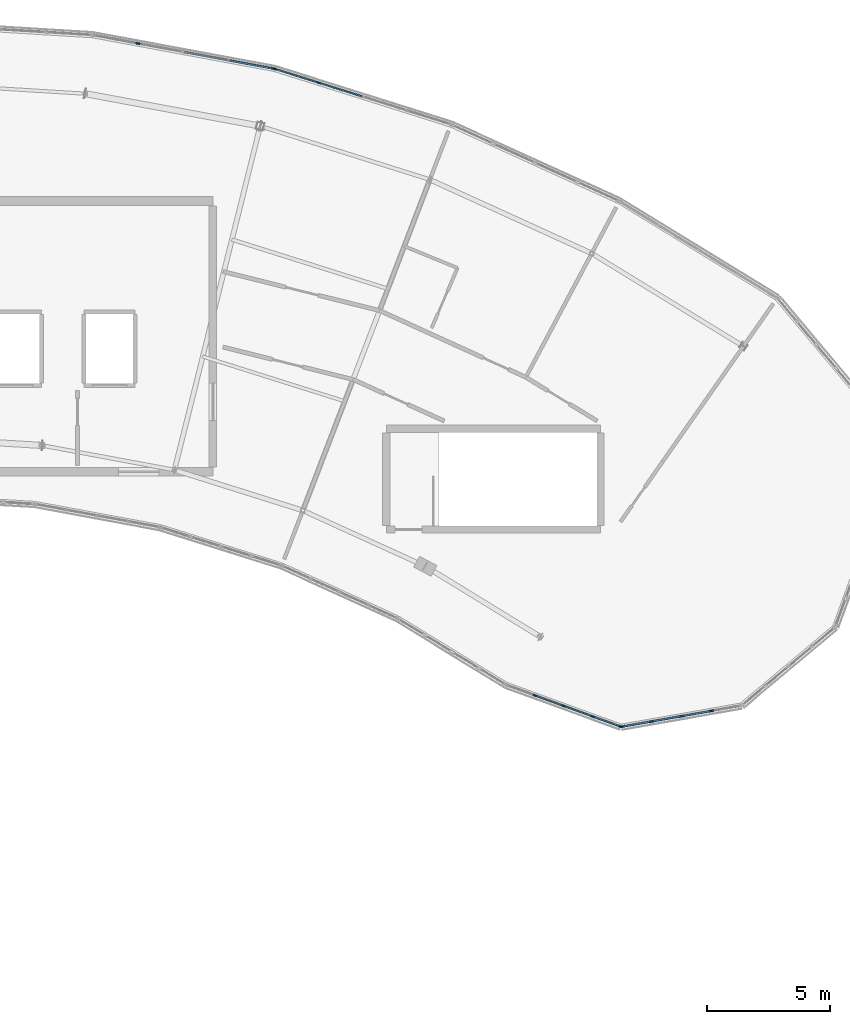
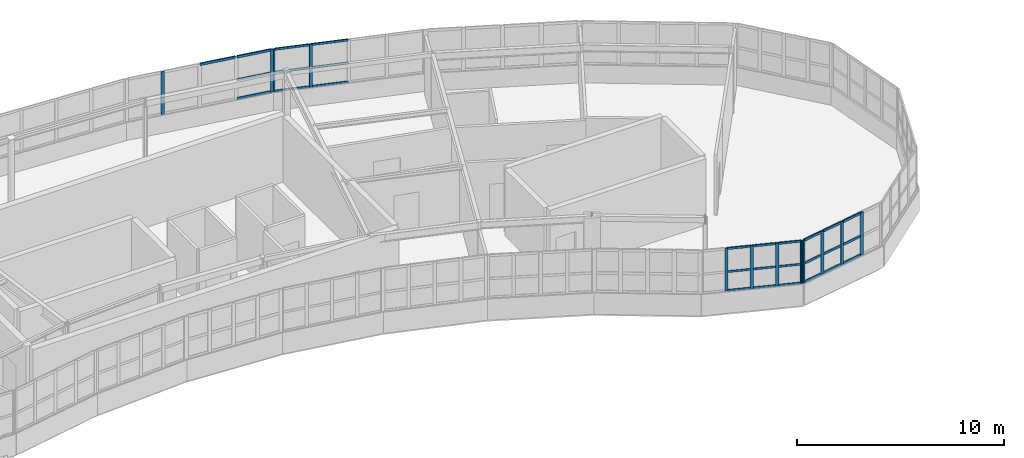
# One storey, part 12 of 26: 40 members, 4 elements without a shape of their own.
"""IFC4 building model written with IfcOpenShell, lengths in metres."""

from ifc_helpers import new_model, si_unit, direction, frame, origin, origin_2d, place, context, subcontext, project, spatial, rectangle, extrude, material, layer, layer_set, material_profile, profile_set, type_object, element, aggregate, save


model = new_model("IFC4")

# Units and contexts
model_context = context("Model", 3, precision=1e-05, world=origin(), true_north=direction((0.0, 1.0)))
body_context = subcontext(model_context, "Body", "Model", "MODEL_VIEW")
ifc_project = project(units=[si_unit("LENGTHUNIT", "METRE"), si_unit("AREAUNIT", "SQUARE_METRE"), si_unit("VOLUMEUNIT", "CUBIC_METRE"), si_unit("PLANEANGLEUNIT", "RADIAN"), si_unit("MASSUNIT", "GRAM", prefix="KILO")], contexts=[model_context])

# Site, building, storey
site_placement = place(None, origin())
site = spatial("IfcSite", under=ifc_project, at=site_placement, CompositionType="ELEMENT")
building_placement = place(site_placement, origin())
building = spatial("IfcBuilding", under=site, at=building_placement, Name="Tarnwether General Hospital", CompositionType="ELEMENT")
storey_placement = place(building_placement, frame((0.0, 0.0, 30.0)))
storey = spatial("IfcBuildingStorey", under=building, at=storey_placement, Name="L07", CompositionType="ELEMENT", Elevation=30.0)

# Curtain wall, members
ifc_material_1 = material(Name="Anodised aluminium", Category="aluminium")
ifc_layer_1 = layer(ifc_material_1, 0.159912109375)
ifc_layer_set_1 = layer_set([ifc_layer_1], Name="Anodised aluminium")
curtain_wall_type_1 = type_object("IfcCurtainWallType", Name="CW-03", PredefinedType="NOTDEFINED", material=ifc_layer_set_1)
curtain_wall_1_placement = place(storey_placement, origin())
curtain_wall_1 = element("IfcCurtainWall", 1, at=curtain_wall_1_placement, inside=storey, type_object=curtain_wall_type_1, Name="Curtain Wall CWG-L07-1210_960-0140", PredefinedType="NOTDEFINED")
ifc_material_2 = material(Name="Anodised aluminium", Category="aluminium")
ifc_material_profile_1 = material_profile(ifc_material_2, rectangle(XDim=0.06005859375, YDim=0.159912109375, at=origin_2d()), Name="ALU-MUL-60x160")
ifc_profile_set_1 = profile_set([ifc_material_profile_1], Name="Anodised aluminium")
member_type_1 = type_object("IfcMemberType", Name="CW-ML1", PredefinedType="MULLION", material=ifc_profile_set_1)
member_1_placement = place(storey_placement, frame((120.960693359375, 96.042236328125, 1.050048828125), z_axis=(0.0, 0.0, 1.0), x_axis=(-0.342130850834, -0.939652319163, 0.0)))
member_1 = element("IfcMember", 2, at=member_1_placement, type_object=member_type_1, Name="CW-03 mullion 1", PredefinedType="MULLION", context=body_context, shape_type="SweptSolid", body=[
    extrude(rectangle(XDim=0.06005859375, YDim=0.159912109375, at=origin_2d()), origin(), (0.0, 0.0, 1.0), 2.52001953125),
])
member_2_placement = place(storey_placement, frame((119.82177734375, 96.45703125, 1.050048828125), z_axis=(0.0, 0.0, 1.0), x_axis=(-0.342130850834, -0.939652319163, 0.0)))
member_2 = element("IfcMember", 3, at=member_2_placement, type_object=member_type_1, Name="CW-03 mullion 2", PredefinedType="MULLION", context=body_context, shape_type="SweptSolid", body=[
    extrude(rectangle(XDim=0.06005859375, YDim=0.159912109375, at=origin_2d()), origin(), (0.0, 0.0, 1.0), 2.52001953125),
])
member_3_placement = place(storey_placement, frame((118.654541015625, 96.882080078125, 1.050048828125), z_axis=(0.0, 0.0, 1.0), x_axis=(-0.342130850834, -0.939652319163, 0.0)))
member_3 = element("IfcMember", 4, at=member_3_placement, type_object=member_type_1, Name="CW-03 mullion 3", PredefinedType="MULLION", context=body_context, shape_type="SweptSolid", body=[
    extrude(rectangle(XDim=0.06005859375, YDim=0.159912109375, at=origin_2d()), origin(), (0.0, 0.0, 1.0), 2.52001953125),
])
member_4_placement = place(storey_placement, frame((117.4873046875, 97.306884765625, 1.050048828125), z_axis=(0.0, 0.0, 1.0), x_axis=(-0.342130850834, -0.939652319163, 0.0)))
member_4 = element("IfcMember", 5, at=member_4_placement, type_object=member_type_1, Name="CW-03 mullion 4", PredefinedType="MULLION", context=body_context, shape_type="SweptSolid", body=[
    extrude(rectangle(XDim=0.06005859375, YDim=0.159912109375, at=origin_2d()), origin(), (0.0, 0.0, 1.0), 2.52001953125),
])

ifc_material_3 = material(Name="Anodised aluminium", Category="aluminium")
ifc_layer_2 = layer(ifc_material_3, 0.179931640625)
ifc_layer_set_2 = layer_set([ifc_layer_2], Name="Anodised aluminium")
curtain_wall_type_2 = type_object("IfcCurtainWallType", Name="CW-07", PredefinedType="NOTDEFINED", material=ifc_layer_set_2)
curtain_wall_2_placement = place(storey_placement, origin())
curtain_wall_2 = element("IfcCurtainWall", 6, at=curtain_wall_2_placement, inside=storey, type_object=curtain_wall_type_2, Name="Curtain Wall CWG-L07-1069_1228-0148", PredefinedType="NOTDEFINED")
member_5_placement = place(storey_placement, frame((106.9306640625, 122.760986328125, 1.050048828125), z_axis=(0.0, 0.0, 1.0), x_axis=(0.300628613299, 0.953741284032, 0.0)))
member_5 = element("IfcMember", 7, at=member_5_placement, type_object=member_type_1, Name="CW-07 mullion 1", PredefinedType="MULLION", context=body_context, shape_type="SweptSolid", body=[
    extrude(rectangle(XDim=0.06005859375, YDim=0.159912109375, at=origin_2d()), origin(), (0.0, 0.0, 1.0), 2.52001953125),
])
member_6_placement = place(storey_placement, frame((108.6953125, 122.204833984375, 1.050048828125), z_axis=(0.0, 0.0, 1.0), x_axis=(0.300628613299, 0.953741284032, 0.0)))
member_6 = element("IfcMember", 8, at=member_6_placement, type_object=member_type_1, Name="CW-07 mullion 2", PredefinedType="MULLION", context=body_context, shape_type="SweptSolid", body=[
    extrude(rectangle(XDim=0.06005859375, YDim=0.159912109375, at=origin_2d()), origin(), (0.0, 0.0, 1.0), 2.52001953125),
])

curtain_wall_3_placement = place(storey_placement, origin())
curtain_wall_3 = element("IfcCurtainWall", 9, at=curtain_wall_3_placement, inside=storey, type_object=curtain_wall_type_1, Name="Curtain Wall CWG-L07-1259_969-0141", PredefinedType="NOTDEFINED")
ifc_material_4 = material(Name="Anodised aluminium", Category="aluminium")
ifc_material_profile_2 = material_profile(ifc_material_4, rectangle(XDim=0.070068359375, YDim=0.179931640625, at=origin_2d()), Name="ALU-MUL-70x180")
ifc_profile_set_2 = profile_set([ifc_material_profile_2], Name="Anodised aluminium")
member_type_2 = type_object("IfcMemberType", Name="CW-ML2", PredefinedType="MULLION", material=ifc_profile_set_2)
member_7_placement = place(storey_placement, frame((124.659423828125, 96.67919921875, 1.050048828125), z_axis=(0.0, 0.0, 1.0), x_axis=(0.173659059054, -0.984805834268, 0.0)))
member_7 = element("IfcMember", 10, at=member_7_placement, type_object=member_type_2, Name="CW-03 mullion 2", PredefinedType="MULLION", context=body_context, shape_type="SweptSolid", body=[
    extrude(rectangle(XDim=0.070068359375, YDim=0.179931640625, at=origin_2d()), origin(), (0.0, 0.0, 1.0), 2.52001953125),
])
member_8_placement = place(storey_placement, frame((123.43603515625, 96.46337890625, 1.050048828125), z_axis=(0.0, 0.0, 1.0), x_axis=(0.173659059054, -0.984805834268, 0.0)))
member_8 = element("IfcMember", 11, at=member_8_placement, type_object=member_type_2, Name="CW-03 mullion 3", PredefinedType="MULLION", context=body_context, shape_type="SweptSolid", body=[
    extrude(rectangle(XDim=0.070068359375, YDim=0.179931640625, at=origin_2d()), origin(), (0.0, 0.0, 1.0), 2.52001953125),
])
member_9_placement = place(storey_placement, frame((122.21240234375, 96.247802734375, 1.050048828125), z_axis=(0.0, 0.0, 1.0), x_axis=(0.173659059054, -0.984805834268, 0.0)))
member_9 = element("IfcMember", 12, at=member_9_placement, type_object=member_type_2, Name="CW-03 mullion 4", PredefinedType="MULLION", context=body_context, shape_type="SweptSolid", body=[
    extrude(rectangle(XDim=0.070068359375, YDim=0.179931640625, at=origin_2d()), origin(), (0.0, 0.0, 1.0), 2.52001953125),
])
member_10_placement = place(storey_placement, frame((121.0234375, 96.0380859375, 1.050048828125), z_axis=(0.0, 0.0, 1.0), x_axis=(0.173659059054, -0.984805834268, 0.0)))
member_10 = element("IfcMember", 13, at=member_10_placement, type_object=member_type_2, Name="CW-03 mullion 5", PredefinedType="MULLION", context=body_context, shape_type="SweptSolid", body=[
    extrude(rectangle(XDim=0.070068359375, YDim=0.179931640625, at=origin_2d()), origin(), (0.0, 0.0, 1.0), 2.52001953125),
])

curtain_wall_4_placement = place(storey_placement, origin())
curtain_wall_4 = element("IfcCurtainWall", 14, at=curtain_wall_4_placement, inside=storey, type_object=curtain_wall_type_2, Name="Curtain Wall CWG-L07-995_1241-0149", PredefinedType="NOTDEFINED")
member_11_placement = place(storey_placement, frame((101.355712890625, 123.79833984375, 1.050048828125), z_axis=(0.0, 0.0, 1.0), x_axis=(0.182289226614, 0.983244953132, 0.0)))
member_11 = element("IfcMember", 15, at=member_11_placement, type_object=member_type_2, Name="CW-07 mullion 2", PredefinedType="MULLION", context=body_context, shape_type="SweptSolid", body=[
    extrude(rectangle(XDim=0.070068359375, YDim=0.179931640625, at=origin_2d()), origin(), (0.0, 0.0, 1.0), 2.52001953125),
])
member_12_placement = place(storey_placement, frame((106.86767578125, 122.7763671875, 1.050048828125), z_axis=(0.0, 0.0, 1.0), x_axis=(0.182289226614, 0.983244953132, 0.0)))
member_12 = element("IfcMember", 16, at=member_12_placement, type_object=member_type_2, Name="CW-07 mullion 5", PredefinedType="MULLION", context=body_context, shape_type="SweptSolid", body=[
    extrude(rectangle(XDim=0.070068359375, YDim=0.179931640625, at=origin_2d()), origin(), (0.0, 0.0, 1.0), 2.52001953125),
])

# Member
ifc_material_5 = material(Name="Anodised aluminium", Category="aluminium")
ifc_material_profile_3 = material_profile(ifc_material_5, rectangle(XDim=0.06005859375, YDim=0.1201171875, at=origin_2d()), Name="ALU-TRN-60x120")
ifc_profile_set_3 = profile_set([ifc_material_profile_3], Name="Anodised aluminium")
member_type_3 = type_object("IfcMemberType", Name="CW-TR1", PredefinedType="USERDEFINED", material=ifc_profile_set_3)
member_13_placement = place(storey_placement, frame((120.9326171875, 96.052490234375, 1.080078125), z_axis=(-0.939638678412, 0.342168312432, 0.0), x_axis=(-0.342168312432, -0.939638678412, 0.0)))
member_13 = element("IfcMember", 17, at=member_13_placement, type_object=member_type_3, Name="CW-03 transom 1.1", ObjectType="TRANSOM", PredefinedType="USERDEFINED", context=body_context, shape_type="SweptSolid", body=[
    extrude(rectangle(XDim=0.06005859375, YDim=0.1201171875, at=origin_2d()), origin(), (0.0, 0.0, 1.0), 1.15234375),
])

member_14_placement = place(storey_placement, frame((120.9326171875, 96.052490234375, 2.18408203125), z_axis=(-0.939638678412, 0.342168312432, 0.0), x_axis=(-0.342168312432, -0.939638678412, 0.0)))
member_14 = element("IfcMember", 18, at=member_14_placement, type_object=member_type_3, Name="CW-03 transom 1.2", ObjectType="TRANSOM", PredefinedType="USERDEFINED", context=body_context, shape_type="SweptSolid", body=[
    extrude(rectangle(XDim=0.06005859375, YDim=0.1201171875, at=origin_2d()), origin(), (0.0, 0.0, 1.0), 1.15234375),
])

member_15_placement = place(storey_placement, frame((120.9326171875, 96.052490234375, 3.5400390625), z_axis=(-0.939638678412, 0.342168312432, 0.0), x_axis=(-0.342168312432, -0.939638678412, 0.0)))
member_15 = element("IfcMember", 19, at=member_15_placement, type_object=member_type_3, Name="CW-03 transom 1.3", ObjectType="TRANSOM", PredefinedType="USERDEFINED", context=body_context, shape_type="SweptSolid", body=[
    extrude(rectangle(XDim=0.06005859375, YDim=0.1201171875, at=origin_2d()), origin(), (0.0, 0.0, 1.0), 1.15234375),
])

member_16_placement = place(storey_placement, frame((119.79345703125, 96.46728515625, 1.080078125), z_axis=(-0.939630518913, 0.342190718646, 0.0), x_axis=(-0.342190718646, -0.939630518913, 0.0)))
member_16 = element("IfcMember", 20, at=member_16_placement, type_object=member_type_3, Name="CW-03 transom 2.1", ObjectType="TRANSOM", PredefinedType="USERDEFINED", context=body_context, shape_type="SweptSolid", body=[
    extrude(rectangle(XDim=0.06005859375, YDim=0.1201171875, at=origin_2d()), origin(), (0.0, 0.0, 1.0), 1.18212890625),
])

member_17_placement = place(storey_placement, frame((119.79345703125, 96.46728515625, 2.18408203125), z_axis=(-0.939630518913, 0.342190718646, 0.0), x_axis=(-0.342190718646, -0.939630518913, 0.0)))
member_17 = element("IfcMember", 21, at=member_17_placement, type_object=member_type_3, Name="CW-03 transom 2.2", ObjectType="TRANSOM", PredefinedType="USERDEFINED", context=body_context, shape_type="SweptSolid", body=[
    extrude(rectangle(XDim=0.06005859375, YDim=0.1201171875, at=origin_2d()), origin(), (0.0, 0.0, 1.0), 1.18212890625),
])

member_18_placement = place(storey_placement, frame((119.79345703125, 96.46728515625, 3.5400390625), z_axis=(-0.939630518913, 0.342190718646, 0.0), x_axis=(-0.342190718646, -0.939630518913, 0.0)))
member_18 = element("IfcMember", 22, at=member_18_placement, type_object=member_type_3, Name="CW-03 transom 2.3", ObjectType="TRANSOM", PredefinedType="USERDEFINED", context=body_context, shape_type="SweptSolid", body=[
    extrude(rectangle(XDim=0.06005859375, YDim=0.1201171875, at=origin_2d()), origin(), (0.0, 0.0, 1.0), 1.18212890625),
])

member_19_placement = place(storey_placement, frame((118.626220703125, 96.892333984375, 1.080078125), z_axis=(-0.939696906367, 0.342008368559, 0.0), x_axis=(-0.342008368559, -0.939696906367, 0.0)))
member_19 = element("IfcMember", 23, at=member_19_placement, type_object=member_type_3, Name="CW-03 transom 3.1", ObjectType="TRANSOM", PredefinedType="USERDEFINED", context=body_context, shape_type="SweptSolid", body=[
    extrude(rectangle(XDim=0.06005859375, YDim=0.1201171875, at=origin_2d()), origin(), (0.0, 0.0, 1.0), 1.18212890625),
])

member_20_placement = place(storey_placement, frame((118.626220703125, 96.892333984375, 2.18408203125), z_axis=(-0.939696906367, 0.342008368559, 0.0), x_axis=(-0.342008368559, -0.939696906367, 0.0)))
member_20 = element("IfcMember", 24, at=member_20_placement, type_object=member_type_3, Name="CW-03 transom 3.2", ObjectType="TRANSOM", PredefinedType="USERDEFINED", context=body_context, shape_type="SweptSolid", body=[
    extrude(rectangle(XDim=0.06005859375, YDim=0.1201171875, at=origin_2d()), origin(), (0.0, 0.0, 1.0), 1.18212890625),
])

member_21_placement = place(storey_placement, frame((118.626220703125, 96.892333984375, 3.5400390625), z_axis=(-0.939696906367, 0.342008368559, 0.0), x_axis=(-0.342008368559, -0.939696906367, 0.0)))
member_21 = element("IfcMember", 25, at=member_21_placement, type_object=member_type_3, Name="CW-03 transom 3.3", ObjectType="TRANSOM", PredefinedType="USERDEFINED", context=body_context, shape_type="SweptSolid", body=[
    extrude(rectangle(XDim=0.06005859375, YDim=0.1201171875, at=origin_2d()), origin(), (0.0, 0.0, 1.0), 1.18212890625),
])

aggregate(curtain_wall_1, [member_1, member_2, member_3, member_4, member_13, member_14, member_15, member_16, member_17, member_18, member_19, member_20, member_21])

member_22_placement = place(storey_placement, frame((106.959228515625, 122.751953125, 1.080078125), z_axis=(0.953763859338, -0.300556983983, 0.0), x_axis=(0.300556983983, 0.953763859338, 0.0)))
member_22 = element("IfcMember", 26, at=member_22_placement, type_object=member_type_3, Name="CW-07 transom 1.1", ObjectType="TRANSOM", PredefinedType="USERDEFINED", context=body_context, shape_type="SweptSolid", body=[
    extrude(rectangle(XDim=0.06005859375, YDim=0.1201171875, at=origin_2d()), origin(), (0.0, 0.0, 1.0), 1.790283203125),
])

member_23_placement = place(storey_placement, frame((106.959228515625, 122.751953125, 2.18408203125), z_axis=(0.953763859338, -0.300556983983, 0.0), x_axis=(0.300556983983, 0.953763859338, 0.0)))
member_23 = element("IfcMember", 27, at=member_23_placement, type_object=member_type_3, Name="CW-07 transom 1.2", ObjectType="TRANSOM", PredefinedType="USERDEFINED", context=body_context, shape_type="SweptSolid", body=[
    extrude(rectangle(XDim=0.06005859375, YDim=0.1201171875, at=origin_2d()), origin(), (0.0, 0.0, 1.0), 1.790283203125),
])

member_24_placement = place(storey_placement, frame((106.959228515625, 122.751953125, 3.5400390625), z_axis=(0.953763859338, -0.300556983983, 0.0), x_axis=(0.300556983983, 0.953763859338, 0.0)))
member_24 = element("IfcMember", 28, at=member_24_placement, type_object=member_type_3, Name="CW-07 transom 1.3", ObjectType="TRANSOM", PredefinedType="USERDEFINED", context=body_context, shape_type="SweptSolid", body=[
    extrude(rectangle(XDim=0.06005859375, YDim=0.1201171875, at=origin_2d()), origin(), (0.0, 0.0, 1.0), 1.790283203125),
])

member_25_placement = place(storey_placement, frame((108.723876953125, 122.19580078125, 1.080078125), z_axis=(0.953720400412, -0.30069485835, 0.0), x_axis=(0.30069485835, 0.953720400412, 0.0)))
member_25 = element("IfcMember", 29, at=member_25_placement, type_object=member_type_3, Name="CW-07 transom 2.1", ObjectType="TRANSOM", PredefinedType="USERDEFINED", context=body_context, shape_type="SweptSolid", body=[
    extrude(rectangle(XDim=0.06005859375, YDim=0.1201171875, at=origin_2d()), origin(), (0.0, 0.0, 1.0), 1.8203125),
])

member_26_placement = place(storey_placement, frame((108.723876953125, 122.19580078125, 2.18408203125), z_axis=(0.953720400412, -0.30069485835, 0.0), x_axis=(0.30069485835, 0.953720400412, 0.0)))
member_26 = element("IfcMember", 30, at=member_26_placement, type_object=member_type_3, Name="CW-07 transom 2.2", ObjectType="TRANSOM", PredefinedType="USERDEFINED", context=body_context, shape_type="SweptSolid", body=[
    extrude(rectangle(XDim=0.06005859375, YDim=0.1201171875, at=origin_2d()), origin(), (0.0, 0.0, 1.0), 1.8203125),
])

member_27_placement = place(storey_placement, frame((108.723876953125, 122.19580078125, 3.5400390625), z_axis=(0.953720400412, -0.30069485835, 0.0), x_axis=(0.30069485835, 0.953720400412, 0.0)))
member_27 = element("IfcMember", 31, at=member_27_placement, type_object=member_type_3, Name="CW-07 transom 2.3", ObjectType="TRANSOM", PredefinedType="USERDEFINED", context=body_context, shape_type="SweptSolid", body=[
    extrude(rectangle(XDim=0.06005859375, YDim=0.1201171875, at=origin_2d()), origin(), (0.0, 0.0, 1.0), 1.8203125),
])

aggregate(curtain_wall_2, [member_5, member_6, member_22, member_23, member_24, member_25, member_26, member_27])

ifc_material_6 = material(Name="Anodised aluminium", Category="aluminium")
ifc_material_profile_4 = material_profile(ifc_material_6, rectangle(XDim=0.070068359375, YDim=0.139892578125, at=origin_2d()), Name="ALU-TRN-70x140")
ifc_profile_set_4 = profile_set([ifc_material_profile_4], Name="Anodised aluminium")
member_type_4 = type_object("IfcMemberType", Name="CW-TR2", PredefinedType="USERDEFINED", material=ifc_profile_set_4)
member_28_placement = place(storey_placement, frame((124.625, 96.673095703125, 1.0849609375), z_axis=(-0.984802421076, -0.173678413867, 0.0), x_axis=(0.173678413867, -0.984802421076, 0.0)))
member_28 = element("IfcMember", 32, at=member_28_placement, type_object=member_type_4, Name="CW-03 transom 2.1", ObjectType="TRANSOM", PredefinedType="USERDEFINED", context=body_context, shape_type="SweptSolid", body=[
    extrude(rectangle(XDim=0.070068359375, YDim=0.139892578125, at=origin_2d()), origin(), (0.0, 0.0, 1.0), 1.17236328125),
])

member_29_placement = place(storey_placement, frame((124.625, 96.673095703125, 2.18408203125), z_axis=(-0.984802421076, -0.173678413867, 0.0), x_axis=(0.173678413867, -0.984802421076, 0.0)))
member_29 = element("IfcMember", 33, at=member_29_placement, type_object=member_type_4, Name="CW-03 transom 2.2", ObjectType="TRANSOM", PredefinedType="USERDEFINED", context=body_context, shape_type="SweptSolid", body=[
    extrude(rectangle(XDim=0.070068359375, YDim=0.139892578125, at=origin_2d()), origin(), (0.0, 0.0, 1.0), 1.17236328125),
])

member_30_placement = place(storey_placement, frame((124.625, 96.673095703125, 3.534912109375), z_axis=(-0.984802421076, -0.173678413867, 0.0), x_axis=(0.173678413867, -0.984802421076, 0.0)))
member_30 = element("IfcMember", 34, at=member_30_placement, type_object=member_type_4, Name="CW-03 transom 2.3", ObjectType="TRANSOM", PredefinedType="USERDEFINED", context=body_context, shape_type="SweptSolid", body=[
    extrude(rectangle(XDim=0.070068359375, YDim=0.139892578125, at=origin_2d()), origin(), (0.0, 0.0, 1.0), 1.17236328125),
])

member_31_placement = place(storey_placement, frame((123.401611328125, 96.45751953125, 1.0849609375), z_axis=(-0.984802421076, -0.173678413867, 0.0), x_axis=(0.173678413867, -0.984802421076, 0.0)))
member_31 = element("IfcMember", 35, at=member_31_placement, type_object=member_type_4, Name="CW-03 transom 3.1", ObjectType="TRANSOM", PredefinedType="USERDEFINED", context=body_context, shape_type="SweptSolid", body=[
    extrude(rectangle(XDim=0.070068359375, YDim=0.139892578125, at=origin_2d()), origin(), (0.0, 0.0, 1.0), 1.17236328125),
])

member_32_placement = place(storey_placement, frame((123.401611328125, 96.45751953125, 2.18408203125), z_axis=(-0.984802421076, -0.173678413867, 0.0), x_axis=(0.173678413867, -0.984802421076, 0.0)))
member_32 = element("IfcMember", 36, at=member_32_placement, type_object=member_type_4, Name="CW-03 transom 3.2", ObjectType="TRANSOM", PredefinedType="USERDEFINED", context=body_context, shape_type="SweptSolid", body=[
    extrude(rectangle(XDim=0.070068359375, YDim=0.139892578125, at=origin_2d()), origin(), (0.0, 0.0, 1.0), 1.17236328125),
])

member_33_placement = place(storey_placement, frame((123.401611328125, 96.45751953125, 3.534912109375), z_axis=(-0.984802421076, -0.173678413867, 0.0), x_axis=(0.173678413867, -0.984802421076, 0.0)))
member_33 = element("IfcMember", 37, at=member_33_placement, type_object=member_type_4, Name="CW-03 transom 3.3", ObjectType="TRANSOM", PredefinedType="USERDEFINED", context=body_context, shape_type="SweptSolid", body=[
    extrude(rectangle(XDim=0.070068359375, YDim=0.139892578125, at=origin_2d()), origin(), (0.0, 0.0, 1.0), 1.17236328125),
])

member_34_placement = place(storey_placement, frame((122.177978515625, 96.24169921875, 1.0849609375), z_axis=(-0.984807319407, -0.173650636748, 0.0), x_axis=(0.173650636748, -0.984807319407, 0.0)))
member_34 = element("IfcMember", 38, at=member_34_placement, type_object=member_type_4, Name="CW-03 transom 4.1", ObjectType="TRANSOM", PredefinedType="USERDEFINED", context=body_context, shape_type="SweptSolid", body=[
    extrude(rectangle(XDim=0.070068359375, YDim=0.139892578125, at=origin_2d()), origin(), (0.0, 0.0, 1.0), 1.137451171875),
])

member_35_placement = place(storey_placement, frame((122.177978515625, 96.24169921875, 2.18408203125), z_axis=(-0.984807319407, -0.173650636748, 0.0), x_axis=(0.173650636748, -0.984807319407, 0.0)))
member_35 = element("IfcMember", 39, at=member_35_placement, type_object=member_type_4, Name="CW-03 transom 4.2", ObjectType="TRANSOM", PredefinedType="USERDEFINED", context=body_context, shape_type="SweptSolid", body=[
    extrude(rectangle(XDim=0.070068359375, YDim=0.139892578125, at=origin_2d()), origin(), (0.0, 0.0, 1.0), 1.137451171875),
])

member_36_placement = place(storey_placement, frame((122.177978515625, 96.24169921875, 3.534912109375), z_axis=(-0.984807319407, -0.173650636748, 0.0), x_axis=(0.173650636748, -0.984807319407, 0.0)))
member_36 = element("IfcMember", 40, at=member_36_placement, type_object=member_type_4, Name="CW-03 transom 4.3", ObjectType="TRANSOM", PredefinedType="USERDEFINED", context=body_context, shape_type="SweptSolid", body=[
    extrude(rectangle(XDim=0.070068359375, YDim=0.139892578125, at=origin_2d()), origin(), (0.0, 0.0, 1.0), 1.137451171875),
])

aggregate(curtain_wall_3, [member_7, member_8, member_9, member_10, member_28, member_29, member_30, member_31, member_32, member_33, member_34, member_35, member_36])

member_37_placement = place(storey_placement, frame((103.239013671875, 123.44921875, 3.534912109375), z_axis=(0.983233673232, -0.182350058465, 0.0), x_axis=(0.182350058465, 0.983233673232, 0.0)))
member_37 = element("IfcMember", 41, at=member_37_placement, type_object=member_type_4, Name="CW-07 transom 3.3", ObjectType="TRANSOM", PredefinedType="USERDEFINED", context=body_context, shape_type="SweptSolid", body=[
    extrude(rectangle(XDim=0.070068359375, YDim=0.139892578125, at=origin_2d()), origin(), (0.0, 0.0, 1.0), 1.81005859375),
])

member_38_placement = place(storey_placement, frame((105.087646484375, 123.1064453125, 1.0849609375), z_axis=(0.983234552566, -0.182345317021, 0.0), x_axis=(0.182345317021, 0.983234552566, 0.0)))
member_38 = element("IfcMember", 42, at=member_38_placement, type_object=member_type_4, Name="CW-07 transom 4.1", ObjectType="TRANSOM", PredefinedType="USERDEFINED", context=body_context, shape_type="SweptSolid", body=[
    extrude(rectangle(XDim=0.070068359375, YDim=0.139892578125, at=origin_2d()), origin(), (0.0, 0.0, 1.0), 1.775390625),
])

member_39_placement = place(storey_placement, frame((105.087646484375, 123.1064453125, 2.18408203125), z_axis=(0.983234552566, -0.182345317021, 0.0), x_axis=(0.182345317021, 0.983234552566, 0.0)))
member_39 = element("IfcMember", 43, at=member_39_placement, type_object=member_type_4, Name="CW-07 transom 4.2", ObjectType="TRANSOM", PredefinedType="USERDEFINED", context=body_context, shape_type="SweptSolid", body=[
    extrude(rectangle(XDim=0.070068359375, YDim=0.139892578125, at=origin_2d()), origin(), (0.0, 0.0, 1.0), 1.775390625),
])

member_40_placement = place(storey_placement, frame((105.087646484375, 123.1064453125, 3.534912109375), z_axis=(0.983234552566, -0.182345317021, 0.0), x_axis=(0.182345317021, 0.983234552566, 0.0)))
member_40 = element("IfcMember", 44, at=member_40_placement, type_object=member_type_4, Name="CW-07 transom 4.3", ObjectType="TRANSOM", PredefinedType="USERDEFINED", context=body_context, shape_type="SweptSolid", body=[
    extrude(rectangle(XDim=0.070068359375, YDim=0.139892578125, at=origin_2d()), origin(), (0.0, 0.0, 1.0), 1.775390625),
])

aggregate(curtain_wall_4, [member_11, member_12, member_37, member_38, member_39, member_40])

save(model, "model.ifc")
